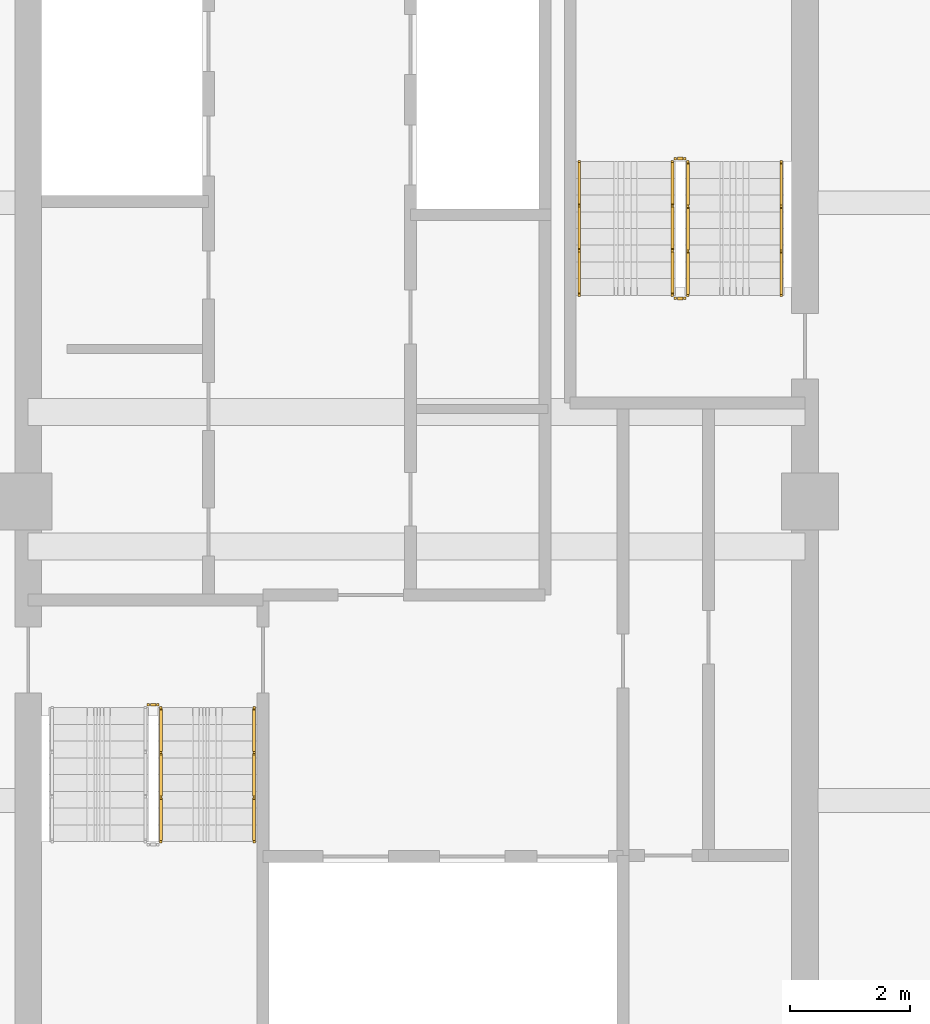
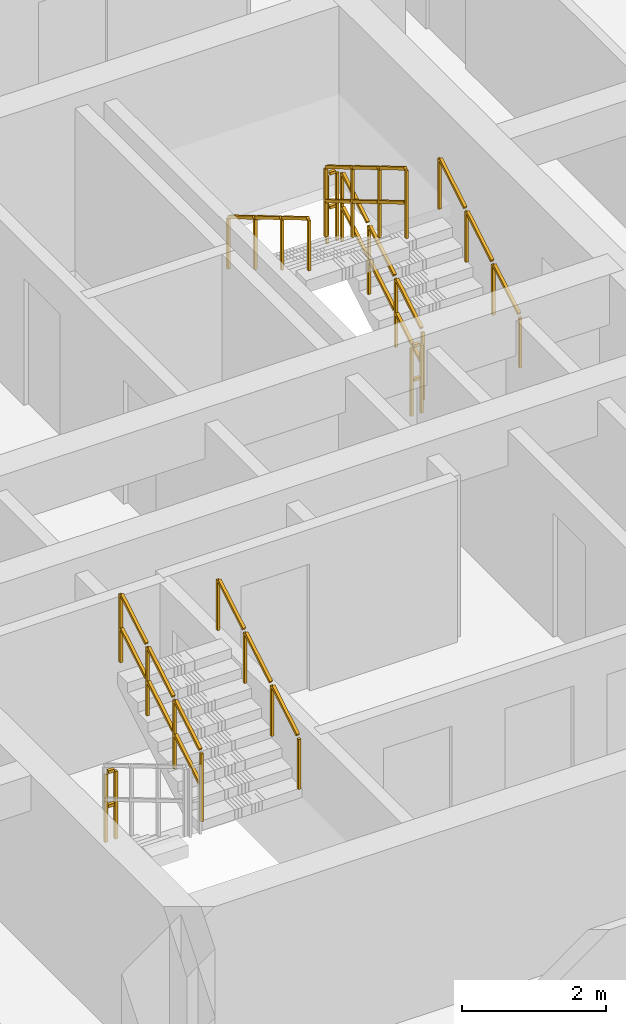
# One storey, part 22 of 24: 9 railings.
"""IFC4 building model written with IfcOpenShell, lengths in metres."""

from ifc_helpers import new_model, si_unit, direction, frame, origin, origin_2d, place, context, subcontext, project, spatial, rectangle, extrude, material, type_object, element, save


model = new_model("IFC4")

# Units and contexts
model_context = context("Model", 3, precision=1e-05, world=origin(), true_north=direction((0.0, 1.0)))
body_context = subcontext(model_context, "Body", "Model", "MODEL_VIEW")
ifc_project = project(units=[si_unit("LENGTHUNIT", "METRE"), si_unit("AREAUNIT", "SQUARE_METRE"), si_unit("VOLUMEUNIT", "CUBIC_METRE"), si_unit("PLANEANGLEUNIT", "RADIAN"), si_unit("MASSUNIT", "GRAM", prefix="KILO")], contexts=[model_context])

# Site, building, storey
site_placement = place(None, origin())
site = spatial("IfcSite", under=ifc_project, at=site_placement, CompositionType="ELEMENT")
building_placement = place(site_placement, origin())
building = spatial("IfcBuilding", under=site, at=building_placement, Name="Saelheon Loggia Tower", CompositionType="ELEMENT")
storey_placement = place(building_placement, frame((0.0, 0.0, 246.0)))
storey = spatial("IfcBuildingStorey", under=building, at=storey_placement, Name="L76", CompositionType="ELEMENT", Elevation=246.0)

# Railings
ifc_material_1 = material(Name="Galvanised Steel S275 Stairwell Guardrail", Category="steel")
railing_type_1 = type_object("IfcRailingType", Name="Guard_StairWell_RL_STG", PredefinedType="GUARDRAIL", material=ifc_material_1)
railing_1_placement = place(storey_placement, frame((33.719970703125, 21.31005859375, 1.666748046875)))
element("IfcRailing", 1, at=railing_1_placement, inside=storey, type_object=railing_type_1, Name="L76 ST1 stair guard 3", PredefinedType="GUARDRAIL", context=body_context, shape_type="SweptSolid", body=[
    extrude(rectangle(XDim=0.048095703125, YDim=0.048095703125, at=origin_2d()), frame((0.0, 0.028564453125, 1.19287109375), z_axis=(0.0, 0.859305625298, 0.511462454469), x_axis=(-1.0, 0.0, 0.0)), (0.0, 0.0, 1.0), 0.802490234375),
    extrude(rectangle(XDim=0.048095703125, YDim=0.048095703125, at=origin_2d()), frame((0.0, 0.028564453125, 0.616943359375), z_axis=(0.0, 0.859305625298, 0.511462454469), x_axis=(-1.0, 0.0, 0.0)), (0.0, 0.0, 1.0), 0.802490234375),
    extrude(rectangle(XDim=0.048095703125, YDim=0.048095703125, at=origin_2d()), frame((0.0, 0.775146484375, 1.63720703125), z_axis=(0.0, 0.859305625298, 0.511462454469), x_axis=(-1.0, 0.0, 0.0)), (0.0, 0.0, 1.0), 0.802490234375),
    extrude(rectangle(XDim=0.048095703125, YDim=0.048095703125, at=origin_2d()), frame((0.0, 0.775146484375, 1.061279296875), z_axis=(0.0, 0.859305625298, 0.511462454469), x_axis=(-1.0, 0.0, 0.0)), (0.0, 0.0, 1.0), 0.802490234375),
    extrude(rectangle(XDim=0.048095703125, YDim=0.048095703125, at=origin_2d()), frame((0.0, 1.52197265625, 2.081787109375), z_axis=(0.0, 0.859305625298, 0.511462454469), x_axis=(-1.0, 0.0, 0.0)), (0.0, 0.0, 1.0), 0.802490234375),
    extrude(rectangle(XDim=0.048095703125, YDim=0.048095703125, at=origin_2d()), frame((0.0, 1.52197265625, 1.505859375), z_axis=(0.0, 0.859305625298, 0.511462454469), x_axis=(-1.0, 0.0, 0.0)), (0.0, 0.0, 1.0), 0.802490234375),
    extrude(rectangle(XDim=0.0419921875, YDim=0.0419921875, at=origin_2d()), origin(), (0.0, 0.0, 1.0), 1.14794921875),
    extrude(rectangle(XDim=0.0419921875, YDim=0.0419921875, at=origin_2d()), frame((0.0, 0.74658203125, 0.4443359375)), (0.0, 0.0, 1.0), 1.14794921875),
    extrude(rectangle(XDim=0.0419921875, YDim=0.0419921875, at=origin_2d()), frame((0.0, 1.493408203125, 0.888916015625)), (0.0, 0.0, 1.0), 1.14794921875),
    extrude(rectangle(XDim=0.0419921875, YDim=0.0419921875, at=origin_2d()), frame((0.0, 2.239990234375, 1.333251953125)), (0.0, 0.0, 1.0), 1.14794921875),
])
railing_2_placement = place(storey_placement, frame((33.510009765625, 23.60009765625, 0.0)))
element("IfcRailing", 2, at=railing_2_placement, inside=storey, type_object=railing_type_1, Name="L76 ST1 stair guard 4", PredefinedType="GUARDRAIL", context=body_context, shape_type="SweptSolid", body=[
    extrude(rectangle(XDim=0.048095703125, YDim=0.048095703125, at=origin_2d()), frame((0.033203125, 0.0, 1.17578125), z_axis=(1.0, 0.0, 0.0), x_axis=(0.0, 1.0, 0.0)), (0.0, 0.0, 1.0), 0.093505859375),
    extrude(rectangle(XDim=0.048095703125, YDim=0.048095703125, at=origin_2d()), frame((0.033203125, 0.0, 0.60009765625), z_axis=(1.0, 0.0, 0.0), x_axis=(0.0, 1.0, 0.0)), (0.0, 0.0, 1.0), 0.093505859375),
    extrude(rectangle(XDim=0.0419921875, YDim=0.0419921875, at=origin_2d()), origin(), (0.0, 0.0, 1.0), 1.14794921875),
    extrude(rectangle(XDim=0.0419921875, YDim=0.0419921875, at=origin_2d()), frame((0.159912109375, 0.0, 0.0)), (0.0, 0.0, 1.0), 1.14794921875),
])
railing_3_placement = place(storey_placement, frame((42.5400390625, 30.449951171875, 0.166748046875)))
element("IfcRailing", 3, at=railing_3_placement, inside=storey, type_object=railing_type_1, Name="L76 ST2 stair guard 1", PredefinedType="GUARDRAIL", context=body_context, shape_type="SweptSolid", body=[
    extrude(rectangle(XDim=0.048095703125, YDim=0.048095703125, at=origin_2d()), frame((0.0, 0.028564453125, 1.19287109375), z_axis=(0.0, 0.859305625298, 0.511462454469), x_axis=(-1.0, 0.0, 0.0)), (0.0, 0.0, 1.0), 0.802490234375),
    extrude(rectangle(XDim=0.048095703125, YDim=0.048095703125, at=origin_2d()), frame((0.0, 0.028564453125, 0.616943359375), z_axis=(0.0, 0.859305625298, 0.511462454469), x_axis=(-1.0, 0.0, 0.0)), (0.0, 0.0, 1.0), 0.802490234375),
    extrude(rectangle(XDim=0.048095703125, YDim=0.048095703125, at=origin_2d()), frame((0.0, 0.775146484375, 1.63720703125), z_axis=(0.0, 0.859305625298, 0.511462454469), x_axis=(-1.0, 0.0, 0.0)), (0.0, 0.0, 1.0), 0.802490234375),
    extrude(rectangle(XDim=0.048095703125, YDim=0.048095703125, at=origin_2d()), frame((0.0, 0.775146484375, 1.061279296875), z_axis=(0.0, 0.859305625298, 0.511462454469), x_axis=(-1.0, 0.0, 0.0)), (0.0, 0.0, 1.0), 0.802490234375),
    extrude(rectangle(XDim=0.048095703125, YDim=0.048095703125, at=origin_2d()), frame((0.0, 1.52197265625, 2.081787109375), z_axis=(0.0, 0.859305625298, 0.511462454469), x_axis=(-1.0, 0.0, 0.0)), (0.0, 0.0, 1.0), 0.802490234375),
    extrude(rectangle(XDim=0.048095703125, YDim=0.048095703125, at=origin_2d()), frame((0.0, 1.52197265625, 1.505859375), z_axis=(0.0, 0.859305625298, 0.511462454469), x_axis=(-1.0, 0.0, 0.0)), (0.0, 0.0, 1.0), 0.802490234375),
    extrude(rectangle(XDim=0.0419921875, YDim=0.0419921875, at=origin_2d()), origin(), (0.0, 0.0, 1.0), 1.14794921875),
    extrude(rectangle(XDim=0.0419921875, YDim=0.0419921875, at=origin_2d()), frame((0.0, 0.74658203125, 0.4443359375)), (0.0, 0.0, 1.0), 1.14794921875),
    extrude(rectangle(XDim=0.0419921875, YDim=0.0419921875, at=origin_2d()), frame((0.0, 1.493408203125, 0.888916015625)), (0.0, 0.0, 1.0), 1.14794921875),
    extrude(rectangle(XDim=0.0419921875, YDim=0.0419921875, at=origin_2d()), frame((0.0, 2.239990234375, 1.333251953125)), (0.0, 0.0, 1.0), 1.14794921875),
])
railing_4_placement = place(storey_placement, frame((42.489990234375, 32.739990234375, 1.5)))
element("IfcRailing", 4, at=railing_4_placement, inside=storey, type_object=railing_type_1, Name="L76 ST2 stair guard 2", PredefinedType="GUARDRAIL", context=body_context, shape_type="SweptSolid", body=[
    extrude(rectangle(XDim=0.048095703125, YDim=0.048095703125, at=origin_2d()), frame((-0.033203125, 0.0, 1.17578125), z_axis=(-1.0, 0.0, 0.0), x_axis=(0.0, -1.0, 0.0)), (0.0, 0.0, 1.0), 0.093505859375),
    extrude(rectangle(XDim=0.048095703125, YDim=0.048095703125, at=origin_2d()), frame((-0.033203125, 0.0, 0.60009765625), z_axis=(-1.0, 0.0, 0.0), x_axis=(0.0, -1.0, 0.0)), (0.0, 0.0, 1.0), 0.093505859375),
    extrude(rectangle(XDim=0.0419921875, YDim=0.0419921875, at=origin_2d()), origin(), (0.0, 0.0, 1.0), 1.14794921875),
    extrude(rectangle(XDim=0.0419921875, YDim=0.0419921875, at=origin_2d()), frame((-0.159912109375, 0.0, 0.0)), (0.0, 0.0, 1.0), 1.14794921875),
])
railing_5_placement = place(storey_placement, frame((42.280029296875, 32.68994140625, 1.666748046875)))
element("IfcRailing", 5, at=railing_5_placement, inside=storey, type_object=railing_type_1, Name="L76 ST2 stair guard 3", PredefinedType="GUARDRAIL", context=body_context, shape_type="SweptSolid", body=[
    extrude(rectangle(XDim=0.048095703125, YDim=0.048095703125, at=origin_2d()), frame((0.0, -0.028564453125, 1.19287109375), z_axis=(0.0, -0.859305625298, 0.511462454469), x_axis=(1.0, 0.0, 0.0)), (0.0, 0.0, 1.0), 0.802490234375),
    extrude(rectangle(XDim=0.048095703125, YDim=0.048095703125, at=origin_2d()), frame((0.0, -0.028564453125, 0.616943359375), z_axis=(0.0, -0.859305625298, 0.511462454469), x_axis=(1.0, 0.0, 0.0)), (0.0, 0.0, 1.0), 0.802490234375),
    extrude(rectangle(XDim=0.048095703125, YDim=0.048095703125, at=origin_2d()), frame((0.0, -0.775146484375, 1.63720703125), z_axis=(0.0, -0.859305625298, 0.511462454469), x_axis=(1.0, 0.0, 0.0)), (0.0, 0.0, 1.0), 0.802490234375),
    extrude(rectangle(XDim=0.048095703125, YDim=0.048095703125, at=origin_2d()), frame((0.0, -0.775146484375, 1.061279296875), z_axis=(0.0, -0.859305625298, 0.511462454469), x_axis=(1.0, 0.0, 0.0)), (0.0, 0.0, 1.0), 0.802490234375),
    extrude(rectangle(XDim=0.048095703125, YDim=0.048095703125, at=origin_2d()), frame((0.0, -1.52197265625, 2.081787109375), z_axis=(0.0, -0.859305625298, 0.511462454469), x_axis=(1.0, 0.0, 0.0)), (0.0, 0.0, 1.0), 0.802490234375),
    extrude(rectangle(XDim=0.048095703125, YDim=0.048095703125, at=origin_2d()), frame((0.0, -1.52197265625, 1.505859375), z_axis=(0.0, -0.859305625298, 0.511462454469), x_axis=(1.0, 0.0, 0.0)), (0.0, 0.0, 1.0), 0.802490234375),
    extrude(rectangle(XDim=0.0419921875, YDim=0.0419921875, at=origin_2d()), origin(), (0.0, 0.0, 1.0), 1.14794921875),
    extrude(rectangle(XDim=0.0419921875, YDim=0.0419921875, at=origin_2d()), frame((0.0, -0.74658203125, 0.4443359375)), (0.0, 0.0, 1.0), 1.14794921875),
    extrude(rectangle(XDim=0.0419921875, YDim=0.0419921875, at=origin_2d()), frame((0.0, -1.493408203125, 0.888916015625)), (0.0, 0.0, 1.0), 1.14794921875),
    extrude(rectangle(XDim=0.0419921875, YDim=0.0419921875, at=origin_2d()), frame((0.0, -2.239990234375, 1.333251953125)), (0.0, 0.0, 1.0), 1.14794921875),
])
railing_6_placement = place(storey_placement, frame((42.489990234375, 30.39990234375, 0.0)))
element("IfcRailing", 6, at=railing_6_placement, inside=storey, type_object=railing_type_1, Name="L76 ST2 stair guard 4", PredefinedType="GUARDRAIL", context=body_context, shape_type="SweptSolid", body=[
    extrude(rectangle(XDim=0.048095703125, YDim=0.048095703125, at=origin_2d()), frame((-0.033203125, 0.0, 1.17578125), z_axis=(-1.0, 0.0, 0.0), x_axis=(0.0, -1.0, 0.0)), (0.0, 0.0, 1.0), 0.093505859375),
    extrude(rectangle(XDim=0.048095703125, YDim=0.048095703125, at=origin_2d()), frame((-0.033203125, 0.0, 0.60009765625), z_axis=(-1.0, 0.0, 0.0), x_axis=(0.0, -1.0, 0.0)), (0.0, 0.0, 1.0), 0.093505859375),
    extrude(rectangle(XDim=0.0419921875, YDim=0.0419921875, at=origin_2d()), origin(), (0.0, 0.0, 1.0), 1.14794921875),
    extrude(rectangle(XDim=0.0419921875, YDim=0.0419921875, at=origin_2d()), frame((-0.159912109375, 0.0, 0.0)), (0.0, 0.0, 1.0), 1.14794921875),
])
ifc_material_2 = material(Name="Stainless Steel 304 Tubular Handrail", Category="steel")
railing_type_2 = type_object("IfcRailingType", Name="Handrail_Stair_RL_HR1", PredefinedType="HANDRAIL", material=ifc_material_2)
for number, where, name in (
    (7, (35.280029296875, 21.31005859375, 1.666748046875), "L76 ST1 stair handrail 2"),
    (8, (44.10009765625, 30.449951171875, 0.166748046875), "L76 ST2 stair handrail 1"),
):
    element("IfcRailing", number, at=place(storey_placement, frame(where)), inside=storey, type_object=railing_type_2, Name=name, PredefinedType="HANDRAIL", context=body_context, shape_type="SweptSolid", body=[
        extrude(rectangle(XDim=0.048095703125, YDim=0.048095703125, at=origin_2d()), frame((0.0, 0.028564453125, 0.892822265625), z_axis=(0.0, 0.859305625298, 0.511462454469), x_axis=(-1.0, 0.0, 0.0)), (0.0, 0.0, 1.0), 0.802490234375),
        extrude(rectangle(XDim=0.048095703125, YDim=0.048095703125, at=origin_2d()), frame((0.0, 0.775146484375, 1.337158203125), z_axis=(0.0, 0.859305625298, 0.511462454469), x_axis=(-1.0, 0.0, 0.0)), (0.0, 0.0, 1.0), 0.802490234375),
        extrude(rectangle(XDim=0.048095703125, YDim=0.048095703125, at=origin_2d()), frame((0.0, 1.52197265625, 1.78173828125), z_axis=(0.0, 0.859305625298, 0.511462454469), x_axis=(-1.0, 0.0, 0.0)), (0.0, 0.0, 1.0), 0.802490234375),
        extrude(rectangle(XDim=0.0419921875, YDim=0.0419921875, at=origin_2d()), origin(), (0.0, 0.0, 1.0), 0.847900390625),
        extrude(rectangle(XDim=0.0419921875, YDim=0.0419921875, at=origin_2d()), frame((0.0, 0.74658203125, 0.4443359375)), (0.0, 0.0, 1.0), 0.847900390625),
        extrude(rectangle(XDim=0.0419921875, YDim=0.0419921875, at=origin_2d()), frame((0.0, 1.493408203125, 0.888916015625)), (0.0, 0.0, 1.0), 0.847900390625),
        extrude(rectangle(XDim=0.0419921875, YDim=0.0419921875, at=origin_2d()), frame((0.0, 2.239990234375, 1.333251953125)), (0.0, 0.0, 1.0), 0.847900390625),
    ])
railing_7_placement = place(storey_placement, frame((40.719970703125, 32.68994140625, 1.666748046875)))
element("IfcRailing", 9, at=railing_7_placement, inside=storey, type_object=railing_type_2, Name="L76 ST2 stair handrail 2", PredefinedType="HANDRAIL", context=body_context, shape_type="SweptSolid", body=[
    extrude(rectangle(XDim=0.048095703125, YDim=0.048095703125, at=origin_2d()), frame((0.0, -0.028564453125, 0.892822265625), z_axis=(0.0, -0.859305625298, 0.511462454469), x_axis=(1.0, 0.0, 0.0)), (0.0, 0.0, 1.0), 0.802490234375),
    extrude(rectangle(XDim=0.048095703125, YDim=0.048095703125, at=origin_2d()), frame((0.0, -0.775146484375, 1.337158203125), z_axis=(0.0, -0.859305625298, 0.511462454469), x_axis=(1.0, 0.0, 0.0)), (0.0, 0.0, 1.0), 0.802490234375),
    extrude(rectangle(XDim=0.048095703125, YDim=0.048095703125, at=origin_2d()), frame((0.0, -1.52197265625, 1.78173828125), z_axis=(0.0, -0.859305625298, 0.511462454469), x_axis=(1.0, 0.0, 0.0)), (0.0, 0.0, 1.0), 0.802490234375),
    extrude(rectangle(XDim=0.0419921875, YDim=0.0419921875, at=origin_2d()), origin(), (0.0, 0.0, 1.0), 0.847900390625),
    extrude(rectangle(XDim=0.0419921875, YDim=0.0419921875, at=origin_2d()), frame((0.0, -0.74658203125, 0.4443359375)), (0.0, 0.0, 1.0), 0.847900390625),
    extrude(rectangle(XDim=0.0419921875, YDim=0.0419921875, at=origin_2d()), frame((0.0, -1.493408203125, 0.888916015625)), (0.0, 0.0, 1.0), 0.847900390625),
    extrude(rectangle(XDim=0.0419921875, YDim=0.0419921875, at=origin_2d()), frame((0.0, -2.239990234375, 1.333251953125)), (0.0, 0.0, 1.0), 0.847900390625),
])

save(model, "model.ifc")
